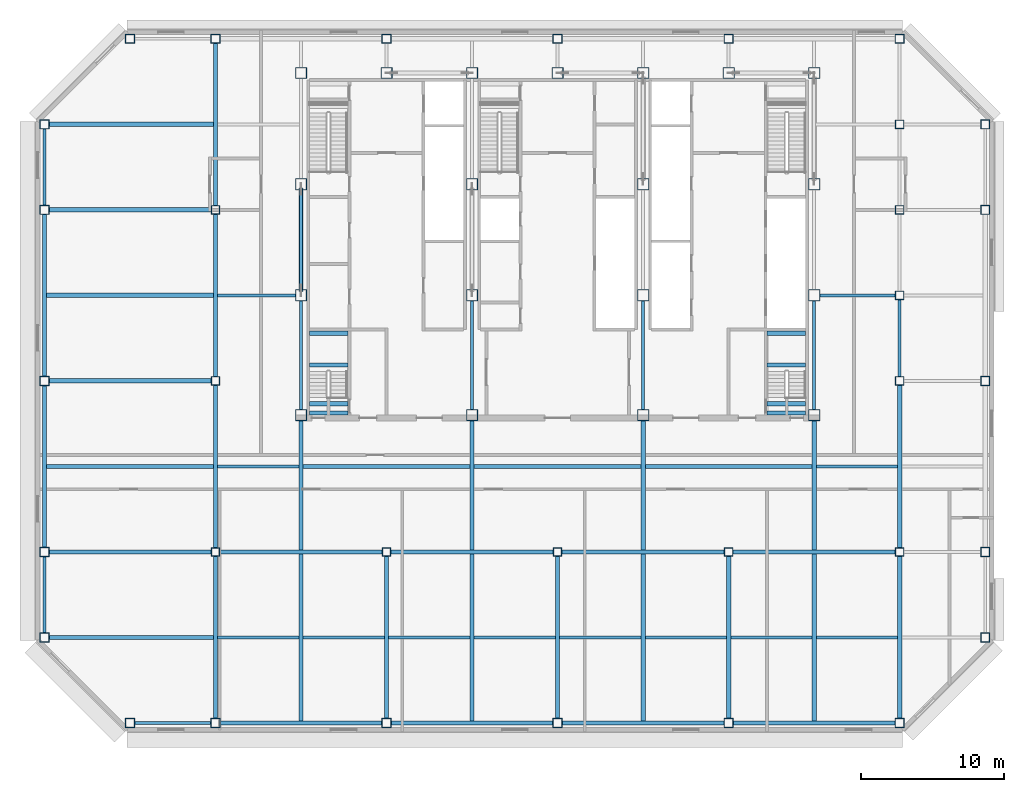
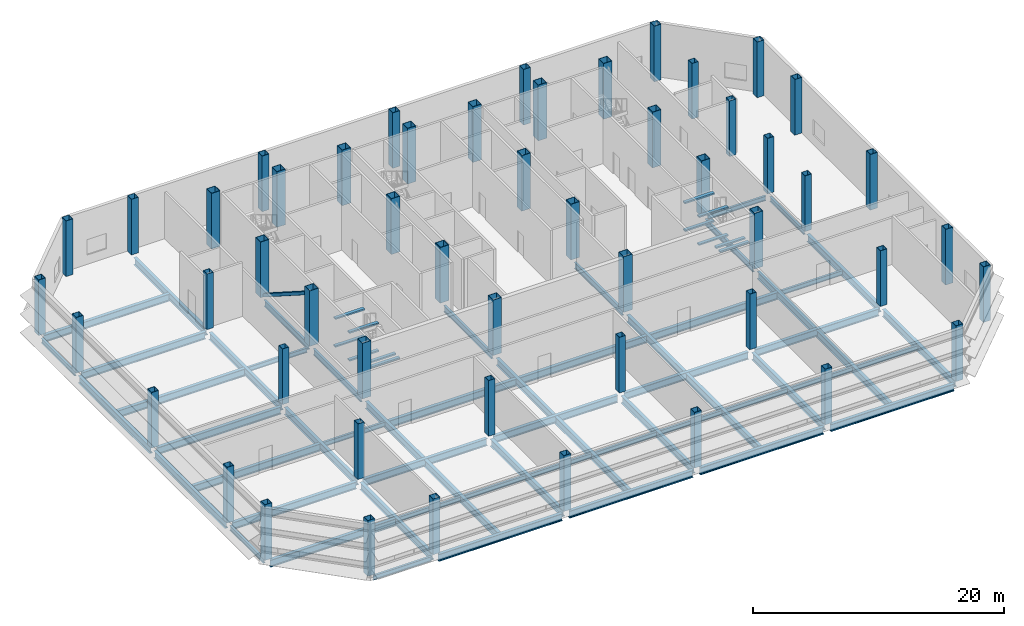
# One storey, part 1 of 11: 70 beams, 52 columns, 1 member.
"""IFC4 building model written with IfcOpenShell, lengths in metres."""

from ifc_helpers import new_model, si_unit, direction, frame, origin, origin_2d, place, context, subcontext, project, spatial, rectangle, hollow_rectangle, i_section, extrude, material, material_profile, profile_set, type_object, element, save


model = new_model("IFC4")

# Units and contexts
model_context = context("Model", 3, precision=1e-05, world=origin(), true_north=direction((0.0, 1.0)))
body_context = subcontext(model_context, "Body", "Model", "MODEL_VIEW")
ifc_project = project(units=[si_unit("LENGTHUNIT", "METRE"), si_unit("AREAUNIT", "SQUARE_METRE"), si_unit("VOLUMEUNIT", "CUBIC_METRE"), si_unit("PLANEANGLEUNIT", "RADIAN"), si_unit("MASSUNIT", "GRAM", prefix="KILO")], contexts=[model_context])

# Site, building, storey
site_placement = place(None, origin())
site = spatial("IfcSite", under=ifc_project, at=site_placement, CompositionType="ELEMENT")
building_placement = place(site_placement, origin())
building = spatial("IfcBuilding", under=site, at=building_placement, Name="Sorahane Residences", CompositionType="ELEMENT")
storey_placement = place(building_placement, frame((0.0, 0.0, 234.199951171875)))
storey = spatial("IfcBuildingStorey", under=building, at=storey_placement, Name="L55", CompositionType="ELEMENT", Elevation=234.199951171875)

# Columns
ifc_material_1 = material(Name="Steel Q355B", Category="steel")
ifc_material_profile_1 = material_profile(ifc_material_1, hollow_rectangle(XDim=0.60009765625, YDim=0.60009765625, WallThickness=0.028076171875, at=origin_2d()), Name="BOX 600x600x28")
ifc_profile_set_1 = profile_set([ifc_material_profile_1], Name="Steel Q355B")
column_type_1 = type_object("IfcColumnType", Name="Steel box column BOX 600x600x28 Q355B", PredefinedType="COLUMN", material=ifc_profile_set_1)
for number, where, z_axis, x_axis, name in (
    (1, (0.0, 12.0, 0.0), (0.0, 0.0, 1.0), (1.0, 0.0, 0.0), "Column L55 0/12"),
    (2, (0.0, 24.0, 0.0), (0.0, 0.0, 1.0), (1.0, 0.0, 0.0), "Column L55 0/24"),
    (3, (0.0, 36.0, 0.0), (0.0, 0.0, 1.0), (1.0, 0.0, 0.0), "Column L55 0/36"),
    (4, (12.0, 12.0, 0.0), (0.0, 0.0, 1.0), (1.0, 0.0, 0.0), "Column L55 12/12"),
    (5, (24.0, 12.0, 0.0), (0.0, 0.0, 1.0), (1.0, 0.0, 0.0), "Column L55 24/12"),
    (6, (36.0, 12.0, 0.0), (0.0, 0.0, 1.0), (1.0, 0.0, 0.0), "Column L55 36/12"),
    (7, (48.0, 12.0, 0.0), (0.0, 0.0, 1.0), (1.0, 0.0, 0.0), "Column L55 48/12"),
    (8, (48.0, 24.0, 0.0), (0.0, 0.0, 1.0), (1.0, 0.0, 0.0), "Column L55 48/24"),
    (9, (48.0, 30.0, 0.0), (0.0, 0.0, 1.0), (1.0, 0.0, 0.0), "Column L55 48/30"),
    (10, (48.0, 36.0, 0.0), (0.0, 0.0, 1.0), (1.0, 0.0, 0.0), "Column L55 48/36"),
    (11, (48.0, 42.0, 0.0), (0.0, 0.0, 1.0), (1.0, 0.0, 0.0), "Column L55 48/42"),
):
    element("IfcColumn", number, at=place(storey_placement, frame(where, z_axis=z_axis, x_axis=x_axis)), inside=storey, type_object=column_type_1, Name=name, PredefinedType="COLUMN", context=body_context, shape_type="SweptSolid", body=[
        extrude(hollow_rectangle(XDim=0.60009765625, YDim=0.60009765625, WallThickness=0.028076171875, at=origin_2d()), origin(), (0.0, 0.0, 1.0), 5.400146484375),
    ])
ifc_material_2 = material(Name="Steel Q355B", Category="steel")
ifc_material_profile_2 = material_profile(ifc_material_2, hollow_rectangle(XDim=0.64990234375, YDim=0.64990234375, WallThickness=0.031982421875, at=origin_2d()), Name="BOX 650x650x32")
ifc_profile_set_2 = profile_set([ifc_material_profile_2], Name="Steel Q355B")
column_type_2 = type_object("IfcColumnType", Name="Steel box column BOX 650x650x32 Q355B", PredefinedType="COLUMN", material=ifc_profile_set_2)
for number, where, z_axis, x_axis, name in (
    (12, (-12.0, 6.0, 0.0), (0.0, 0.0, 1.0), (1.0, 0.0, 0.0), "Column L55 m12/6"),
    (13, (-12.0, 12.0, 0.0), (0.0, 0.0, 1.0), (1.0, 0.0, 0.0), "Column L55 m12/12"),
    (14, (-12.0, 24.0, 0.0), (0.0, 0.0, 1.0), (1.0, 0.0, 0.0), "Column L55 m12/24"),
    (15, (-12.0, 36.0, 0.0), (0.0, 0.0, 1.0), (1.0, 0.0, 0.0), "Column L55 m12/36"),
    (16, (-12.0, 42.0, 0.0), (0.0, 0.0, 1.0), (1.0, 0.0, 0.0), "Column L55 m12/42"),
    (17, (-6.0, 0.0, 0.0), (0.0, 0.0, 1.0), (1.0, 0.0, 0.0), "Column L55 m6/0"),
    (18, (-6.0, 48.0, 0.0), (0.0, 0.0, 1.0), (1.0, 0.0, 0.0), "Column L55 m6/48"),
    (19, (0.0, 0.0, 0.0), (0.0, 0.0, 1.0), (1.0, 0.0, 0.0), "Column L55 0/0"),
    (20, (0.0, 48.0, 0.0), (0.0, 0.0, 1.0), (1.0, 0.0, 0.0), "Column L55 0/48"),
    (21, (12.0, 0.0, 0.0), (0.0, 0.0, 1.0), (1.0, 0.0, 0.0), "Column L55 12/0"),
    (22, (12.0, 48.0, 0.0), (0.0, 0.0, 1.0), (1.0, 0.0, 0.0), "Column L55 12/48"),
    (23, (24.0, 0.0, 0.0), (0.0, 0.0, 1.0), (1.0, 0.0, 0.0), "Column L55 24/0"),
    (24, (24.0, 48.0, 0.0), (0.0, 0.0, 1.0), (1.0, 0.0, 0.0), "Column L55 24/48"),
    (25, (36.0, 0.0, 0.0), (0.0, 0.0, 1.0), (1.0, 0.0, 0.0), "Column L55 36/0"),
    (26, (36.0, 48.0, 0.0), (0.0, 0.0, 1.0), (1.0, 0.0, 0.0), "Column L55 36/48"),
    (27, (48.0, 0.0, 0.0), (0.0, 0.0, 1.0), (1.0, 0.0, 0.0), "Column L55 48/0"),
    (28, (48.0, 48.0, 0.0), (0.0, 0.0, 1.0), (1.0, 0.0, 0.0), "Column L55 48/48"),
    (29, (54.0, 6.0, 0.0), (0.0, 0.0, 1.0), (1.0, 0.0, 0.0), "Column L55 54/6"),
    (30, (54.0, 12.0, 0.0), (0.0, 0.0, 1.0), (1.0, 0.0, 0.0), "Column L55 54/12"),
    (31, (54.0, 24.0, 0.0), (0.0, 0.0, 1.0), (1.0, 0.0, 0.0), "Column L55 54/24"),
    (32, (54.0, 36.0, 0.0), (0.0, 0.0, 1.0), (1.0, 0.0, 0.0), "Column L55 54/36"),
    (33, (54.0, 42.0, 0.0), (0.0, 0.0, 1.0), (1.0, 0.0, 0.0), "Column L55 54/42"),
):
    element("IfcColumn", number, at=place(storey_placement, frame(where, z_axis=z_axis, x_axis=x_axis)), inside=storey, type_object=column_type_2, Name=name, PredefinedType="COLUMN", context=body_context, shape_type="SweptSolid", body=[
        extrude(hollow_rectangle(XDim=0.64990234375, YDim=0.64990234375, WallThickness=0.031982421875, at=origin_2d()), origin(), (0.0, 0.0, 1.0), 5.400146484375),
    ])
ifc_material_3 = material(Name="Steel Q355B", Category="steel")
ifc_material_profile_3 = material_profile(ifc_material_3, hollow_rectangle(XDim=0.800048828125, YDim=0.800048828125, WallThickness=0.0400390625, at=origin_2d()), Name="BOX 800x800x40")
ifc_profile_set_3 = profile_set([ifc_material_profile_3], Name="Steel Q355B")
column_type_3 = type_object("IfcColumnType", Name="Steel box column BOX 800x800x40 Q355B", PredefinedType="COLUMN", material=ifc_profile_set_3)
for number, where, z_axis, x_axis, name in (
    (34, (6.0, 21.60009765625, 0.0), (0.0, 0.0, 1.0), (1.0, 0.0, 0.0), "Column L55 6/21.6"),
    (35, (6.0, 30.0, 0.0), (0.0, 0.0, 1.0), (1.0, 0.0, 0.0), "Column L55 6/30"),
    (36, (6.0, 37.800048828125, 0.0), (0.0, 0.0, 1.0), (1.0, 0.0, 0.0), "Column L55 6/37.8"),
    (37, (6.0, 45.60009765625, 0.0), (0.0, 0.0, 1.0), (1.0, 0.0, 0.0), "Column L55 6/45.6"),
    (38, (12.0, 45.60009765625, 0.0), (0.0, 0.0, 1.0), (1.0, 0.0, 0.0), "Column L55 12/45.6"),
    (39, (18.0, 21.60009765625, 0.0), (0.0, 0.0, 1.0), (1.0, 0.0, 0.0), "Column L55 18/21.6"),
    (40, (18.0, 30.0, 0.0), (0.0, 0.0, 1.0), (1.0, 0.0, 0.0), "Column L55 18/30"),
    (41, (18.0, 37.800048828125, 0.0), (0.0, 0.0, 1.0), (1.0, 0.0, 0.0), "Column L55 18/37.8"),
    (42, (18.0, 45.60009765625, 0.0), (0.0, 0.0, 1.0), (1.0, 0.0, 0.0), "Column L55 18/45.6"),
    (43, (24.0, 45.60009765625, 0.0), (0.0, 0.0, 1.0), (1.0, 0.0, 0.0), "Column L55 24/45.6"),
    (44, (30.0, 21.60009765625, 0.0), (0.0, 0.0, 1.0), (1.0, 0.0, 0.0), "Column L55 30/21.6"),
    (45, (30.0, 30.0, 0.0), (0.0, 0.0, 1.0), (1.0, 0.0, 0.0), "Column L55 30/30"),
    (46, (30.0, 37.800048828125, 0.0), (0.0, 0.0, 1.0), (1.0, 0.0, 0.0), "Column L55 30/37.8"),
    (47, (30.0, 45.60009765625, 0.0), (0.0, 0.0, 1.0), (1.0, 0.0, 0.0), "Column L55 30/45.6"),
    (48, (36.0, 45.60009765625, 0.0), (0.0, 0.0, 1.0), (1.0, 0.0, 0.0), "Column L55 36/45.6"),
    (49, (42.0, 21.60009765625, 0.0), (0.0, 0.0, 1.0), (1.0, 0.0, 0.0), "Column L55 42/21.6"),
    (50, (42.0, 30.0, 0.0), (0.0, 0.0, 1.0), (1.0, 0.0, 0.0), "Column L55 42/30"),
    (51, (42.0, 37.800048828125, 0.0), (0.0, 0.0, 1.0), (1.0, 0.0, 0.0), "Column L55 42/37.8"),
    (52, (42.0, 45.60009765625, 0.0), (0.0, 0.0, 1.0), (1.0, 0.0, 0.0), "Column L55 42/45.6"),
):
    element("IfcColumn", number, at=place(storey_placement, frame(where, z_axis=z_axis, x_axis=x_axis)), inside=storey, type_object=column_type_3, Name=name, PredefinedType="COLUMN", context=body_context, shape_type="SweptSolid", body=[
        extrude(hollow_rectangle(XDim=0.800048828125, YDim=0.800048828125, WallThickness=0.0400390625, at=origin_2d()), origin(), (0.0, 0.0, 1.0), 5.400146484375),
    ])

# Member
ifc_material_4 = material(Name="Steel Q355B", Category="steel")
ifc_material_profile_4 = material_profile(ifc_material_4, hollow_rectangle(XDim=0.300048828125, YDim=0.300048828125, WallThickness=0.01611328125, InnerFilletRadius=0.008056640625, OuterFilletRadius=0.02392578125, at=origin_2d()), Name="RHS 300x300x16")
ifc_profile_set_4 = profile_set([ifc_material_profile_4], Name="Steel Q355B")
member_type = type_object("IfcMemberType", Name="Core brace RHS 300x300x16 Q355B", PredefinedType="BRACE", material=ifc_profile_set_4)
member_placement = place(storey_placement, frame((6.0, 37.448486328125, 0.119140625), z_axis=(0.0, -0.842825953617, 0.538186224192), x_axis=(1.0, 0.0, 0.0)))
element("IfcMember", 53, at=member_placement, inside=storey, type_object=member_type, Name="Core brace L55 x6-2", PredefinedType="BRACE", context=body_context, shape_type="SweptSolid", body=[
    extrude(hollow_rectangle(XDim=0.300048828125, YDim=0.300048828125, WallThickness=0.01611328125, InnerFilletRadius=0.008056640625, OuterFilletRadius=0.02392578125, at=origin_2d()), origin(), (0.0, 0.0, 1.0), 8.42041015625),
])

# Beams
ifc_material_5 = material(Name="Concrete C40", Category="concrete")
ifc_material_profile_5 = material_profile(ifc_material_5, rectangle(XDim=0.300048828125, YDim=0.139892578125, at=origin_2d()), Name="300x140")
ifc_profile_set_5 = profile_set([ifc_material_profile_5], Name="Concrete C40")
beam_type_1 = type_object("IfcBeamType", Name="RC landing beam 300 x 140 Concrete C40", PredefinedType="BEAM", material=ifc_profile_set_5)
for number, where, z_axis, x_axis, name in (
    (54, (6.60009765625, 25.1201171875, 1.080078125), (1.0, 0.0, 0.0), (0.0, 1.0, 0.0), "Landing beam"),
    (55, (6.60009765625, 27.35009765625, 1.080078125), (1.0, 0.0, 0.0), (0.0, 1.0, 0.0), "Landing beam"),
    (56, (6.60009765625, 21.75, 2.429931640625), (1.0, 0.0, 0.0), (0.0, 1.0, 0.0), "Landing beam"),
    (57, (6.60009765625, 22.39990234375, 2.429931640625), (1.0, 0.0, 0.0), (0.0, 1.0, 0.0), "Landing beam"),
    (58, (6.60009765625, 25.1201171875, 3.780029296875), (1.0, 0.0, 0.0), (0.0, 1.0, 0.0), "Landing beam"),
    (59, (6.60009765625, 27.35009765625, 3.780029296875), (1.0, 0.0, 0.0), (0.0, 1.0, 0.0), "Landing beam"),
    (60, (38.699951171875, 25.1201171875, 1.080078125), (1.0, 0.0, 0.0), (0.0, 1.0, 0.0), "Landing beam"),
    (61, (38.699951171875, 27.35009765625, 1.080078125), (1.0, 0.0, 0.0), (0.0, 1.0, 0.0), "Landing beam"),
    (62, (38.699951171875, 21.75, 2.429931640625), (1.0, 0.0, 0.0), (0.0, 1.0, 0.0), "Landing beam"),
    (63, (38.699951171875, 22.39990234375, 2.429931640625), (1.0, 0.0, 0.0), (0.0, 1.0, 0.0), "Landing beam"),
    (64, (38.699951171875, 25.1201171875, 3.780029296875), (1.0, 0.0, 0.0), (0.0, 1.0, 0.0), "Landing beam"),
    (65, (38.699951171875, 27.35009765625, 3.780029296875), (1.0, 0.0, 0.0), (0.0, 1.0, 0.0), "Landing beam"),
):
    element("IfcBeam", number, at=place(storey_placement, frame(where, z_axis=z_axis, x_axis=x_axis)), inside=storey, type_object=beam_type_1, Name=name, PredefinedType="BEAM", context=body_context, shape_type="SweptSolid", body=[
        extrude(rectangle(XDim=0.300048828125, YDim=0.139892578125, at=origin_2d()), origin(), (0.0, 0.0, 1.0), 2.699951171875),
    ])
ifc_material_6 = material(Name="Steel Q355B", Category="steel")
ifc_material_profile_6 = material_profile(ifc_material_6, i_section(OverallWidth=0.199951171875, OverallDepth=0.449951171875, WebThickness=0.009033203125, FlangeThickness=0.013916015625, FilletRadius=0.02001953125, at=origin_2d()), Name="HN 450x200x9x14")
ifc_profile_set_6 = profile_set([ifc_material_profile_6], Name="Steel Q355B")
beam_type_2 = type_object("IfcBeamType", Name="Steel floor beam HN 450x200x9x14 Q355B", PredefinedType="BEAM", material=ifc_profile_set_6)
for number, where, z_axis, x_axis, name in (
    (66, (-5.675048828125, 0.0, -0.52490234375), (1.0, 0.0, 0.0), (0.0, 1.0, 0.0), "Beam L55 000"),
    (67, (-12.0, 6.324951171875, -0.52490234375), (0.0, 1.0, 0.0), (-1.0, 0.0, 0.0), "Beam L55 020"),
    (68, (-12.0, 36.324951171875, -0.52490234375), (0.0, 1.0, 0.0), (-1.0, 0.0, 0.0), "Beam L55 023"),
):
    element("IfcBeam", number, at=place(storey_placement, frame(where, z_axis=z_axis, x_axis=x_axis)), inside=storey, type_object=beam_type_2, Name=name, PredefinedType="BEAM", context=body_context, shape_type="SweptSolid", body=[
        extrude(i_section(OverallWidth=0.199951171875, OverallDepth=0.449951171875, WebThickness=0.009033203125, FlangeThickness=0.013916015625, FilletRadius=0.02001953125, at=origin_2d()), origin(), (0.0, 0.0, 1.0), 5.35009765625),
    ])
beam_1_placement = place(storey_placement, frame((48.0, 24.300048828125, -0.52490234375), z_axis=(0.0, 1.0, 0.0), x_axis=(-1.0, 0.0, 0.0)))
element("IfcBeam", 69, at=beam_1_placement, inside=storey, type_object=beam_type_2, Name="Beam L55 060", PredefinedType="BEAM", context=body_context, shape_type="SweptSolid", body=[
    extrude(i_section(OverallWidth=0.199951171875, OverallDepth=0.449951171875, WebThickness=0.009033203125, FlangeThickness=0.013916015625, FilletRadius=0.02001953125, at=origin_2d()), origin(), (0.0, 0.0, 1.0), 5.39990234375),
])
for number, where, z_axis, x_axis, name in (
    (70, (0.14990234375, 6.0, -0.52490234375), (1.0, 0.0, 0.0), (0.0, 1.0, 0.0), "Beam L55 069"),
    (71, (6.14990234375, 6.0, -0.52490234375), (1.0, 0.0, 0.0), (0.0, 1.0, 0.0), "Beam L55 070"),
    (72, (12.14990234375, 6.0, -0.52490234375), (1.0, 0.0, 0.0), (0.0, 1.0, 0.0), "Beam L55 071"),
    (73, (18.14990234375, 6.0, -0.52490234375), (1.0, 0.0, 0.0), (0.0, 1.0, 0.0), "Beam L55 072"),
    (74, (24.14990234375, 6.0, -0.52490234375), (1.0, 0.0, 0.0), (0.0, 1.0, 0.0), "Beam L55 073"),
    (75, (30.14990234375, 6.0, -0.52490234375), (1.0, 0.0, 0.0), (0.0, 1.0, 0.0), "Beam L55 074"),
    (76, (36.14990234375, 6.0, -0.52490234375), (1.0, 0.0, 0.0), (0.0, 1.0, 0.0), "Beam L55 075"),
    (77, (42.14990234375, 6.0, -0.52490234375), (1.0, 0.0, 0.0), (0.0, 1.0, 0.0), "Beam L55 076"),
    (78, (0.14990234375, 18.0, -0.52490234375), (1.0, 0.0, 0.0), (0.0, 1.0, 0.0), "Beam L55 079"),
    (79, (42.14990234375, 18.0, -0.52490234375), (1.0, 0.0, 0.0), (0.0, 1.0, 0.0), "Beam L55 083"),
):
    element("IfcBeam", number, at=place(storey_placement, frame(where, z_axis=z_axis, x_axis=x_axis)), inside=storey, type_object=beam_type_2, Name=name, PredefinedType="BEAM", context=body_context, shape_type="SweptSolid", body=[
        extrude(i_section(OverallWidth=0.199951171875, OverallDepth=0.449951171875, WebThickness=0.009033203125, FlangeThickness=0.013916015625, FilletRadius=0.02001953125, at=origin_2d()), origin(), (0.0, 0.0, 1.0), 5.7001953125),
    ])
beam_2_placement = place(storey_placement, frame((0.14990234375, 30.0, -0.52490234375), z_axis=(1.0, 0.0, 0.0), x_axis=(0.0, 1.0, 0.0)))
element("IfcBeam", 80, at=beam_2_placement, inside=storey, type_object=beam_type_2, Name="Beam L55 086", PredefinedType="BEAM", context=body_context, shape_type="SweptSolid", body=[
    extrude(i_section(OverallWidth=0.199951171875, OverallDepth=0.449951171875, WebThickness=0.009033203125, FlangeThickness=0.013916015625, FilletRadius=0.02001953125, at=origin_2d()), origin(), (0.0, 0.0, 1.0), 5.4501953125),
])
beam_3_placement = place(storey_placement, frame((42.39990234375, 30.0, -0.52490234375), z_axis=(1.0, 0.0, 0.0), x_axis=(0.0, 1.0, 0.0)))
element("IfcBeam", 81, at=beam_3_placement, inside=storey, type_object=beam_type_2, Name="Beam L55 087", PredefinedType="BEAM", context=body_context, shape_type="SweptSolid", body=[
    extrude(i_section(OverallWidth=0.199951171875, OverallDepth=0.449951171875, WebThickness=0.009033203125, FlangeThickness=0.013916015625, FilletRadius=0.02001953125, at=origin_2d()), origin(), (0.0, 0.0, 1.0), 5.300048828125),
])
ifc_material_7 = material(Name="Steel Q355B", Category="steel")
ifc_material_profile_7 = material_profile(ifc_material_7, i_section(OverallWidth=0.199951171875, OverallDepth=0.60009765625, WebThickness=0.010986328125, FlangeThickness=0.01708984375, FilletRadius=0.02392578125, at=origin_2d()), Name="HN 600x200x11x17")
ifc_profile_set_7 = profile_set([ifc_material_profile_7], Name="Steel Q355B")
beam_type_3 = type_object("IfcBeamType", Name="Steel floor beam HN 600x200x11x17 Q355B", PredefinedType="BEAM", material=ifc_profile_set_7)
beam_4_placement = place(storey_placement, frame((6.0, 22.0, -0.599853515625), z_axis=(0.0, 1.0, 0.0), x_axis=(-1.0, 0.0, 0.0)))
element("IfcBeam", 82, at=beam_4_placement, inside=storey, type_object=beam_type_3, Name="Beam L55 030", PredefinedType="BEAM", context=body_context, shape_type="SweptSolid", body=[
    extrude(i_section(OverallWidth=0.199951171875, OverallDepth=0.60009765625, WebThickness=0.010986328125, FlangeThickness=0.01708984375, FilletRadius=0.02392578125, at=origin_2d()), origin(), (0.0, 0.0, 1.0), 7.60009765625),
])
beam_5_placement = place(storey_placement, frame((6.0, 30.39990234375, -0.599853515625), z_axis=(0.0, 1.0, 0.0), x_axis=(-1.0, 0.0, 0.0)))
element("IfcBeam", 83, at=beam_5_placement, inside=storey, type_object=beam_type_3, Name="Beam L55 031", PredefinedType="BEAM", context=body_context, shape_type="SweptSolid", body=[
    extrude(i_section(OverallWidth=0.199951171875, OverallDepth=0.60009765625, WebThickness=0.010986328125, FlangeThickness=0.01708984375, FilletRadius=0.02392578125, at=origin_2d()), origin(), (0.0, 0.0, 1.0), 7.0),
])
for number, where, z_axis, x_axis, name in (
    (84, (18.0, 22.0, -0.599853515625), (0.0, 1.0, 0.0), (-1.0, 0.0, 0.0), "Beam L55 038"),
    (85, (30.0, 22.0, -0.599853515625), (0.0, 1.0, 0.0), (-1.0, 0.0, 0.0), "Beam L55 046"),
    (86, (42.0, 22.0, -0.599853515625), (0.0, 1.0, 0.0), (-1.0, 0.0, 0.0), "Beam L55 054"),
):
    element("IfcBeam", number, at=place(storey_placement, frame(where, z_axis=z_axis, x_axis=x_axis)), inside=storey, type_object=beam_type_3, Name=name, PredefinedType="BEAM", context=body_context, shape_type="SweptSolid", body=[
        extrude(i_section(OverallWidth=0.199951171875, OverallDepth=0.60009765625, WebThickness=0.010986328125, FlangeThickness=0.01708984375, FilletRadius=0.02392578125, at=origin_2d()), origin(), (0.0, 0.0, 1.0), 7.60009765625),
    ])
ifc_material_8 = material(Name="Steel Q355B", Category="steel")
ifc_material_profile_8 = material_profile(ifc_material_8, i_section(OverallWidth=0.300048828125, OverallDepth=0.699951171875, WebThickness=0.012939453125, FlangeThickness=0.02392578125, FilletRadius=0.028076171875, at=origin_2d()), Name="HN 700x300x13x24")
ifc_profile_set_8 = profile_set([ifc_material_profile_8], Name="Steel Q355B")
beam_type_4 = type_object("IfcBeamType", Name="Steel floor beam HN 700x300x13x24 Q355B", PredefinedType="BEAM", material=ifc_profile_set_8)
for number, where, z_axis, x_axis, name in (
    (87, (0.324951171875, 0.0, -0.64990234375), (1.0, 0.0, 0.0), (0.0, 1.0, 0.0), "Beam L55 001"),
    (88, (12.324951171875, 0.0, -0.64990234375), (1.0, 0.0, 0.0), (0.0, 1.0, 0.0), "Beam L55 002"),
    (89, (24.324951171875, 0.0, -0.64990234375), (1.0, 0.0, 0.0), (0.0, 1.0, 0.0), "Beam L55 003"),
    (90, (36.324951171875, 0.0, -0.64990234375), (1.0, 0.0, 0.0), (0.0, 1.0, 0.0), "Beam L55 004"),
):
    element("IfcBeam", number, at=place(storey_placement, frame(where, z_axis=z_axis, x_axis=x_axis)), inside=storey, type_object=beam_type_4, Name=name, PredefinedType="BEAM", context=body_context, shape_type="SweptSolid", body=[
        extrude(i_section(OverallWidth=0.300048828125, OverallDepth=0.699951171875, WebThickness=0.012939453125, FlangeThickness=0.02392578125, FilletRadius=0.028076171875, at=origin_2d()), origin(), (0.0, 0.0, 1.0), 11.35009765625),
    ])
beam_6_placement = place(storey_placement, frame((-11.675048828125, 12.0, -0.64990234375), z_axis=(1.0, 0.0, 0.0), x_axis=(0.0, 1.0, 0.0)))
element("IfcBeam", 91, at=beam_6_placement, inside=storey, type_object=beam_type_4, Name="Beam L55 005", PredefinedType="BEAM", context=body_context, shape_type="SweptSolid", body=[
    extrude(i_section(OverallWidth=0.300048828125, OverallDepth=0.699951171875, WebThickness=0.012939453125, FlangeThickness=0.02392578125, FilletRadius=0.028076171875, at=origin_2d()), origin(), (0.0, 0.0, 1.0), 11.375),
])
for number, where, z_axis, x_axis, name in (
    (92, (0.300048828125, 12.0, -0.64990234375), (1.0, 0.0, 0.0), (0.0, 1.0, 0.0), "Beam L55 006"),
    (93, (12.300048828125, 12.0, -0.64990234375), (1.0, 0.0, 0.0), (0.0, 1.0, 0.0), "Beam L55 007"),
    (94, (24.300048828125, 12.0, -0.64990234375), (1.0, 0.0, 0.0), (0.0, 1.0, 0.0), "Beam L55 008"),
    (95, (36.300048828125, 12.0, -0.64990234375), (1.0, 0.0, 0.0), (0.0, 1.0, 0.0), "Beam L55 009"),
):
    element("IfcBeam", number, at=place(storey_placement, frame(where, z_axis=z_axis, x_axis=x_axis)), inside=storey, type_object=beam_type_4, Name=name, PredefinedType="BEAM", context=body_context, shape_type="SweptSolid", body=[
        extrude(i_section(OverallWidth=0.300048828125, OverallDepth=0.699951171875, WebThickness=0.012939453125, FlangeThickness=0.02392578125, FilletRadius=0.028076171875, at=origin_2d()), origin(), (0.0, 0.0, 1.0), 11.39990234375),
    ])
for number, where, z_axis, x_axis, name in (
    (96, (-11.675048828125, 24.0, -0.64990234375), (1.0, 0.0, 0.0), (0.0, 1.0, 0.0), "Beam L55 011"),
    (97, (-11.675048828125, 36.0, -0.64990234375), (1.0, 0.0, 0.0), (0.0, 1.0, 0.0), "Beam L55 013"),
):
    element("IfcBeam", number, at=place(storey_placement, frame(where, z_axis=z_axis, x_axis=x_axis)), inside=storey, type_object=beam_type_4, Name=name, PredefinedType="BEAM", context=body_context, shape_type="SweptSolid", body=[
        extrude(i_section(OverallWidth=0.300048828125, OverallDepth=0.699951171875, WebThickness=0.012939453125, FlangeThickness=0.02392578125, FilletRadius=0.028076171875, at=origin_2d()), origin(), (0.0, 0.0, 1.0), 11.375),
    ])
for number, where, z_axis, x_axis, name in (
    (98, (-12.0, 12.324951171875, -0.64990234375), (0.0, 1.0, 0.0), (-1.0, 0.0, 0.0), "Beam L55 021"),
    (99, (-12.0, 24.324951171875, -0.64990234375), (0.0, 1.0, 0.0), (-1.0, 0.0, 0.0), "Beam L55 022"),
):
    element("IfcBeam", number, at=place(storey_placement, frame(where, z_axis=z_axis, x_axis=x_axis)), inside=storey, type_object=beam_type_4, Name=name, PredefinedType="BEAM", context=body_context, shape_type="SweptSolid", body=[
        extrude(i_section(OverallWidth=0.300048828125, OverallDepth=0.699951171875, WebThickness=0.012939453125, FlangeThickness=0.02392578125, FilletRadius=0.028076171875, at=origin_2d()), origin(), (0.0, 0.0, 1.0), 11.35009765625),
    ])
beam_7_placement = place(storey_placement, frame((0.0, 0.324951171875, -0.64990234375), z_axis=(0.0, 1.0, 0.0), x_axis=(-1.0, 0.0, 0.0)))
element("IfcBeam", 100, at=beam_7_placement, inside=storey, type_object=beam_type_4, Name="Beam L55 024", PredefinedType="BEAM", context=body_context, shape_type="SweptSolid", body=[
    extrude(i_section(OverallWidth=0.300048828125, OverallDepth=0.699951171875, WebThickness=0.012939453125, FlangeThickness=0.02392578125, FilletRadius=0.028076171875, at=origin_2d()), origin(), (0.0, 0.0, 1.0), 11.375),
])
for number, where, z_axis, x_axis, name in (
    (101, (0.0, 12.300048828125, -0.64990234375), (0.0, 1.0, 0.0), (-1.0, 0.0, 0.0), "Beam L55 025"),
    (102, (0.0, 24.300048828125, -0.64990234375), (0.0, 1.0, 0.0), (-1.0, 0.0, 0.0), "Beam L55 026"),
):
    element("IfcBeam", number, at=place(storey_placement, frame(where, z_axis=z_axis, x_axis=x_axis)), inside=storey, type_object=beam_type_4, Name=name, PredefinedType="BEAM", context=body_context, shape_type="SweptSolid", body=[
        extrude(i_section(OverallWidth=0.300048828125, OverallDepth=0.699951171875, WebThickness=0.012939453125, FlangeThickness=0.02392578125, FilletRadius=0.028076171875, at=origin_2d()), origin(), (0.0, 0.0, 1.0), 11.39990234375),
    ])
beam_8_placement = place(storey_placement, frame((0.0, 36.300048828125, -0.64990234375), z_axis=(0.0, 1.0, 0.0), x_axis=(-1.0, 0.0, 0.0)))
element("IfcBeam", 103, at=beam_8_placement, inside=storey, type_object=beam_type_4, Name="Beam L55 027", PredefinedType="BEAM", context=body_context, shape_type="SweptSolid", body=[
    extrude(i_section(OverallWidth=0.300048828125, OverallDepth=0.699951171875, WebThickness=0.012939453125, FlangeThickness=0.02392578125, FilletRadius=0.028076171875, at=origin_2d()), origin(), (0.0, 0.0, 1.0), 11.375),
])
beam_9_placement = place(storey_placement, frame((6.0, 0.14990234375, -0.64990234375), z_axis=(0.0, 1.0, 0.0), x_axis=(-1.0, 0.0, 0.0)))
element("IfcBeam", 104, at=beam_9_placement, inside=storey, type_object=beam_type_4, Name="Beam L55 028", PredefinedType="BEAM", context=body_context, shape_type="SweptSolid", body=[
    extrude(i_section(OverallWidth=0.300048828125, OverallDepth=0.699951171875, WebThickness=0.012939453125, FlangeThickness=0.02392578125, FilletRadius=0.028076171875, at=origin_2d()), origin(), (0.0, 0.0, 1.0), 11.7001953125),
])
beam_10_placement = place(storey_placement, frame((6.0, 12.14990234375, -0.64990234375), z_axis=(0.0, 1.0, 0.0), x_axis=(-1.0, 0.0, 0.0)))
element("IfcBeam", 105, at=beam_10_placement, inside=storey, type_object=beam_type_4, Name="Beam L55 029", PredefinedType="BEAM", context=body_context, shape_type="SweptSolid", body=[
    extrude(i_section(OverallWidth=0.300048828125, OverallDepth=0.699951171875, WebThickness=0.012939453125, FlangeThickness=0.02392578125, FilletRadius=0.028076171875, at=origin_2d()), origin(), (0.0, 0.0, 1.0), 9.050048828125),
])
beam_11_placement = place(storey_placement, frame((12.0, 0.324951171875, -0.64990234375), z_axis=(0.0, 1.0, 0.0), x_axis=(-1.0, 0.0, 0.0)))
element("IfcBeam", 106, at=beam_11_placement, inside=storey, type_object=beam_type_4, Name="Beam L55 034", PredefinedType="BEAM", context=body_context, shape_type="SweptSolid", body=[
    extrude(i_section(OverallWidth=0.300048828125, OverallDepth=0.699951171875, WebThickness=0.012939453125, FlangeThickness=0.02392578125, FilletRadius=0.028076171875, at=origin_2d()), origin(), (0.0, 0.0, 1.0), 11.375),
])
beam_12_placement = place(storey_placement, frame((18.0, 0.14990234375, -0.64990234375), z_axis=(0.0, 1.0, 0.0), x_axis=(-1.0, 0.0, 0.0)))
element("IfcBeam", 107, at=beam_12_placement, inside=storey, type_object=beam_type_4, Name="Beam L55 036", PredefinedType="BEAM", context=body_context, shape_type="SweptSolid", body=[
    extrude(i_section(OverallWidth=0.300048828125, OverallDepth=0.699951171875, WebThickness=0.012939453125, FlangeThickness=0.02392578125, FilletRadius=0.028076171875, at=origin_2d()), origin(), (0.0, 0.0, 1.0), 11.7001953125),
])
beam_13_placement = place(storey_placement, frame((18.0, 12.14990234375, -0.64990234375), z_axis=(0.0, 1.0, 0.0), x_axis=(-1.0, 0.0, 0.0)))
element("IfcBeam", 108, at=beam_13_placement, inside=storey, type_object=beam_type_4, Name="Beam L55 037", PredefinedType="BEAM", context=body_context, shape_type="SweptSolid", body=[
    extrude(i_section(OverallWidth=0.300048828125, OverallDepth=0.699951171875, WebThickness=0.012939453125, FlangeThickness=0.02392578125, FilletRadius=0.028076171875, at=origin_2d()), origin(), (0.0, 0.0, 1.0), 9.050048828125),
])
beam_14_placement = place(storey_placement, frame((24.0, 0.324951171875, -0.64990234375), z_axis=(0.0, 1.0, 0.0), x_axis=(-1.0, 0.0, 0.0)))
element("IfcBeam", 109, at=beam_14_placement, inside=storey, type_object=beam_type_4, Name="Beam L55 042", PredefinedType="BEAM", context=body_context, shape_type="SweptSolid", body=[
    extrude(i_section(OverallWidth=0.300048828125, OverallDepth=0.699951171875, WebThickness=0.012939453125, FlangeThickness=0.02392578125, FilletRadius=0.028076171875, at=origin_2d()), origin(), (0.0, 0.0, 1.0), 11.375),
])
beam_15_placement = place(storey_placement, frame((30.0, 0.14990234375, -0.64990234375), z_axis=(0.0, 1.0, 0.0), x_axis=(-1.0, 0.0, 0.0)))
element("IfcBeam", 110, at=beam_15_placement, inside=storey, type_object=beam_type_4, Name="Beam L55 044", PredefinedType="BEAM", context=body_context, shape_type="SweptSolid", body=[
    extrude(i_section(OverallWidth=0.300048828125, OverallDepth=0.699951171875, WebThickness=0.012939453125, FlangeThickness=0.02392578125, FilletRadius=0.028076171875, at=origin_2d()), origin(), (0.0, 0.0, 1.0), 11.7001953125),
])
beam_16_placement = place(storey_placement, frame((30.0, 12.14990234375, -0.64990234375), z_axis=(0.0, 1.0, 0.0), x_axis=(-1.0, 0.0, 0.0)))
element("IfcBeam", 111, at=beam_16_placement, inside=storey, type_object=beam_type_4, Name="Beam L55 045", PredefinedType="BEAM", context=body_context, shape_type="SweptSolid", body=[
    extrude(i_section(OverallWidth=0.300048828125, OverallDepth=0.699951171875, WebThickness=0.012939453125, FlangeThickness=0.02392578125, FilletRadius=0.028076171875, at=origin_2d()), origin(), (0.0, 0.0, 1.0), 9.050048828125),
])
beam_17_placement = place(storey_placement, frame((36.0, 0.324951171875, -0.64990234375), z_axis=(0.0, 1.0, 0.0), x_axis=(-1.0, 0.0, 0.0)))
element("IfcBeam", 112, at=beam_17_placement, inside=storey, type_object=beam_type_4, Name="Beam L55 050", PredefinedType="BEAM", context=body_context, shape_type="SweptSolid", body=[
    extrude(i_section(OverallWidth=0.300048828125, OverallDepth=0.699951171875, WebThickness=0.012939453125, FlangeThickness=0.02392578125, FilletRadius=0.028076171875, at=origin_2d()), origin(), (0.0, 0.0, 1.0), 11.375),
])
beam_18_placement = place(storey_placement, frame((42.0, 0.14990234375, -0.64990234375), z_axis=(0.0, 1.0, 0.0), x_axis=(-1.0, 0.0, 0.0)))
element("IfcBeam", 113, at=beam_18_placement, inside=storey, type_object=beam_type_4, Name="Beam L55 052", PredefinedType="BEAM", context=body_context, shape_type="SweptSolid", body=[
    extrude(i_section(OverallWidth=0.300048828125, OverallDepth=0.699951171875, WebThickness=0.012939453125, FlangeThickness=0.02392578125, FilletRadius=0.028076171875, at=origin_2d()), origin(), (0.0, 0.0, 1.0), 11.7001953125),
])
beam_19_placement = place(storey_placement, frame((42.0, 12.14990234375, -0.64990234375), z_axis=(0.0, 1.0, 0.0), x_axis=(-1.0, 0.0, 0.0)))
element("IfcBeam", 114, at=beam_19_placement, inside=storey, type_object=beam_type_4, Name="Beam L55 053", PredefinedType="BEAM", context=body_context, shape_type="SweptSolid", body=[
    extrude(i_section(OverallWidth=0.300048828125, OverallDepth=0.699951171875, WebThickness=0.012939453125, FlangeThickness=0.02392578125, FilletRadius=0.028076171875, at=origin_2d()), origin(), (0.0, 0.0, 1.0), 9.050048828125),
])
beam_20_placement = place(storey_placement, frame((48.0, 0.324951171875, -0.64990234375), z_axis=(0.0, 1.0, 0.0), x_axis=(-1.0, 0.0, 0.0)))
element("IfcBeam", 115, at=beam_20_placement, inside=storey, type_object=beam_type_4, Name="Beam L55 058", PredefinedType="BEAM", context=body_context, shape_type="SweptSolid", body=[
    extrude(i_section(OverallWidth=0.300048828125, OverallDepth=0.699951171875, WebThickness=0.012939453125, FlangeThickness=0.02392578125, FilletRadius=0.028076171875, at=origin_2d()), origin(), (0.0, 0.0, 1.0), 11.375),
])
beam_21_placement = place(storey_placement, frame((48.0, 12.300048828125, -0.64990234375), z_axis=(0.0, 1.0, 0.0), x_axis=(-1.0, 0.0, 0.0)))
element("IfcBeam", 116, at=beam_21_placement, inside=storey, type_object=beam_type_4, Name="Beam L55 059", PredefinedType="BEAM", context=body_context, shape_type="SweptSolid", body=[
    extrude(i_section(OverallWidth=0.300048828125, OverallDepth=0.699951171875, WebThickness=0.012939453125, FlangeThickness=0.02392578125, FilletRadius=0.028076171875, at=origin_2d()), origin(), (0.0, 0.0, 1.0), 11.39990234375),
])
beam_22_placement = place(storey_placement, frame((-11.675048828125, 6.0, -0.64990234375), z_axis=(1.0, 0.0, 0.0), x_axis=(0.0, 1.0, 0.0)))
element("IfcBeam", 117, at=beam_22_placement, inside=storey, type_object=beam_type_4, Name="Beam L55 068", PredefinedType="BEAM", context=body_context, shape_type="SweptSolid", body=[
    extrude(i_section(OverallWidth=0.300048828125, OverallDepth=0.699951171875, WebThickness=0.012939453125, FlangeThickness=0.02392578125, FilletRadius=0.028076171875, at=origin_2d()), origin(), (0.0, 0.0, 1.0), 11.525146484375),
])
for number, where, z_axis, x_axis, name in (
    (118, (-11.85009765625, 18.0, -0.64990234375), (1.0, 0.0, 0.0), (0.0, 1.0, 0.0), "Beam L55 078"),
    (119, (6.14990234375, 18.0, -0.64990234375), (1.0, 0.0, 0.0), (0.0, 1.0, 0.0), "Beam L55 080"),
    (120, (18.14990234375, 18.0, -0.64990234375), (1.0, 0.0, 0.0), (0.0, 1.0, 0.0), "Beam L55 081"),
    (121, (30.14990234375, 18.0, -0.64990234375), (1.0, 0.0, 0.0), (0.0, 1.0, 0.0), "Beam L55 082"),
    (122, (-11.85009765625, 30.0, -0.64990234375), (1.0, 0.0, 0.0), (0.0, 1.0, 0.0), "Beam L55 085"),
):
    element("IfcBeam", number, at=place(storey_placement, frame(where, z_axis=z_axis, x_axis=x_axis)), inside=storey, type_object=beam_type_4, Name=name, PredefinedType="BEAM", context=body_context, shape_type="SweptSolid", body=[
        extrude(i_section(OverallWidth=0.300048828125, OverallDepth=0.699951171875, WebThickness=0.012939453125, FlangeThickness=0.02392578125, FilletRadius=0.028076171875, at=origin_2d()), origin(), (0.0, 0.0, 1.0), 11.7001953125),
    ])
beam_23_placement = place(storey_placement, frame((-11.675048828125, 42.0, -0.64990234375), z_axis=(1.0, 0.0, 0.0), x_axis=(0.0, 1.0, 0.0)))
element("IfcBeam", 123, at=beam_23_placement, inside=storey, type_object=beam_type_4, Name="Beam L55 089", PredefinedType="BEAM", context=body_context, shape_type="SweptSolid", body=[
    extrude(i_section(OverallWidth=0.300048828125, OverallDepth=0.699951171875, WebThickness=0.012939453125, FlangeThickness=0.02392578125, FilletRadius=0.028076171875, at=origin_2d()), origin(), (0.0, 0.0, 1.0), 11.525146484375),
])

save(model, "model.ifc")
